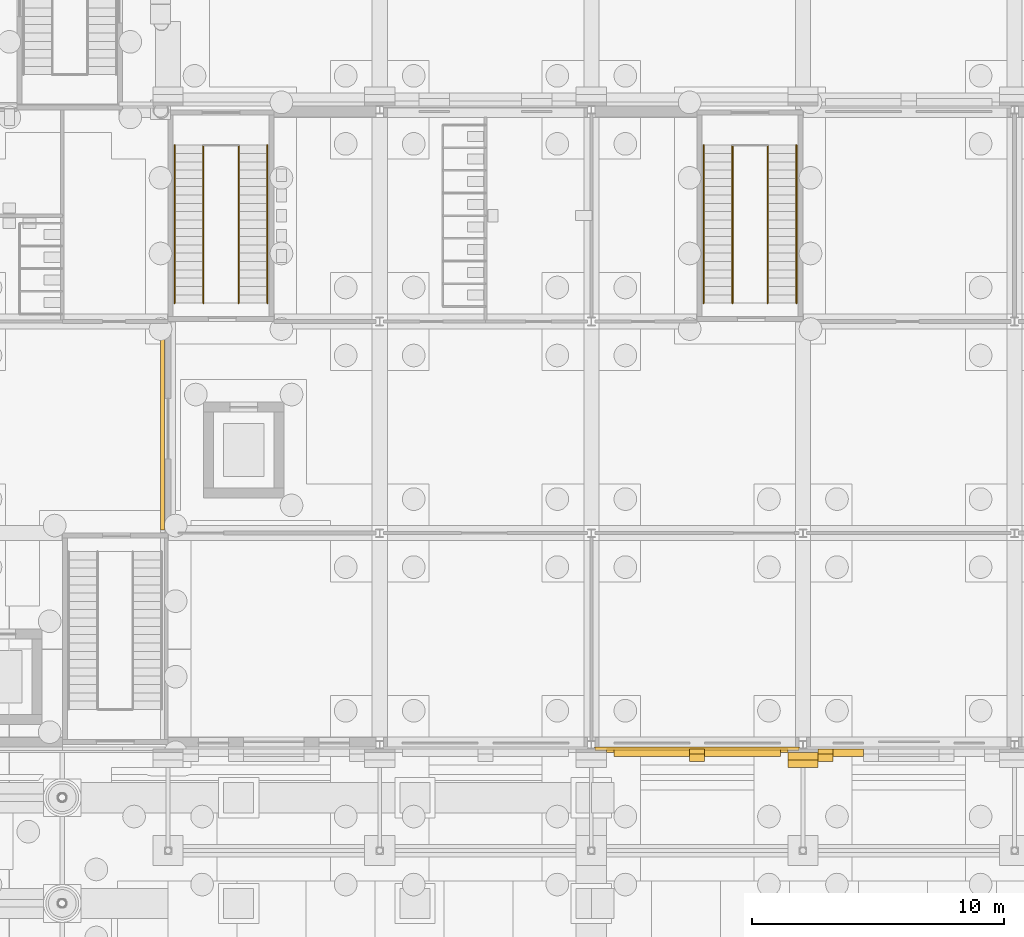
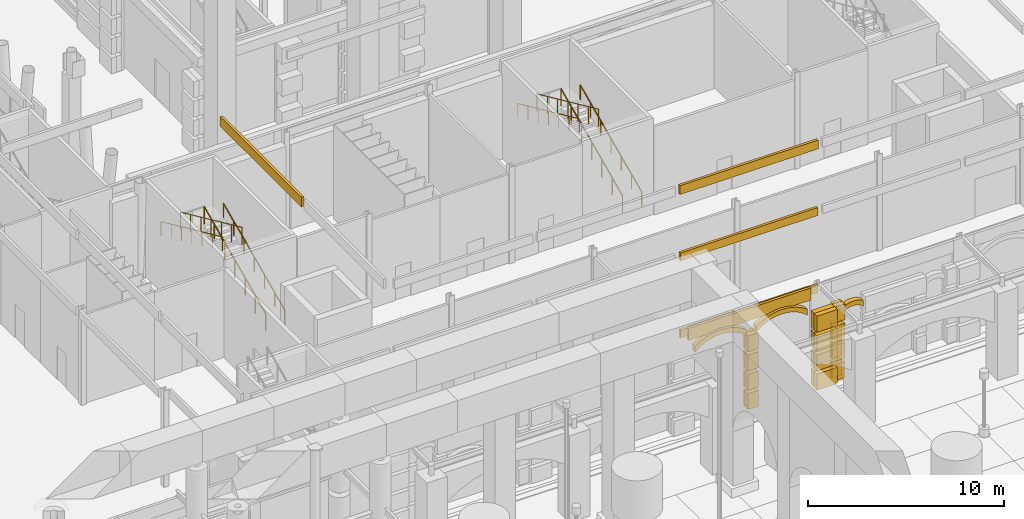
# One storey, part 134 of 222: 32 coverings, 8 railings.
"""IFC4 building model written with IfcOpenShell, lengths in metres."""

from ifc_helpers import new_model, si_unit, direction, frame, origin, origin_2d, place, context, subcontext, project, spatial, polyline, rectangle, circle, outline, extrude, material, layer, layer_set, type_object, element, save


model = new_model("IFC4")

# Units and contexts
model_context = context("Model", 3, precision=1e-05, world=origin(), true_north=direction((0.0, 1.0)))
body_context = subcontext(model_context, "Body", "Model", "MODEL_VIEW")
ifc_project = project(units=[si_unit("LENGTHUNIT", "METRE"), si_unit("AREAUNIT", "SQUARE_METRE"), si_unit("VOLUMEUNIT", "CUBIC_METRE"), si_unit("PLANEANGLEUNIT", "RADIAN"), si_unit("MASSUNIT", "GRAM", prefix="KILO")], contexts=[model_context])

# Site, building, storey
site_placement = place(None, origin())
site = spatial("IfcSite", under=ifc_project, at=site_placement, CompositionType="ELEMENT")
building_placement = place(site_placement, origin())
building = spatial("IfcBuilding", under=site, at=building_placement, Name="Sava Quay Ferry Terminal", CompositionType="ELEMENT")
storey_placement = place(building_placement, origin())
storey = spatial("IfcBuildingStorey", under=building, at=storey_placement, Name="L00", CompositionType="ELEMENT", Elevation=0.0)

# Coverings
ifc_material_1 = material(Name="Limestone Mutalj", Category="masonry")
ifc_layer_1 = layer(ifc_material_1, 0.300048828125)
ifc_layer_set_1 = layer_set([ifc_layer_1], Name="Limestone Mutalj")
covering_type_1 = type_object("IfcCoveringType", Name="Arch band 280", PredefinedType="MOLDING", material=ifc_layer_set_1)
covering_1_placement = place(storey_placement, frame((101.699951171875, 24.739990234375, 4.5), z_axis=(0.0, -1.0, 0.0), x_axis=(0.782171011383, 0.0, 0.623063808091)))
element("IfcCovering", 1, at=covering_1_placement, inside=storey, type_object=covering_type_1, Name="Arch band", PredefinedType="MOLDING", context=body_context, shape_type="SweptSolid", body=[
    extrude(outline(polyline([(0.0, 0.0), (0.38361026394291897, 0.0), (0.7217380868167081, -0.05709695615317717), (1.025335762122964, -0.1575417686500708), (1.2993842465178647, -0.29468969183758004), (1.5471556480034832, -0.4652167214188082), (1.768763237235288, -0.6685888227670815), (1.9639027838382344, -0.9051879153215514), (2.1296840992494017, -1.178642233754159), (2.2607443073734594, -1.4952922933429613), (2.3465130341479634, -1.8691914242724625), (2.5760548521189226, -1.5810332074325149), (2.4648828890282157, -1.2390243496721793), (2.3190675077145073, -0.9408973828822342), (2.144615626614576, -0.6783277684654494), (1.9447605091984421, -0.4476484272178306), (1.7214796529038934, -0.24637688278489167), (1.475381518481019, -0.07374929628832916), (1.2060486048993058, 0.06931837820603115), (0.9111214952818136, 0.18064789471874781), (0.5877488455976752, 0.2562679436707819), (0.22954181797095916, 0.2881582168399477), (0.0, 0.0)])), origin(), (0.0, 0.0, -1.0), 0.300048828125),
])
covering_2_placement = place(storey_placement, frame((105.300048828125, 24.739990234375, 4.5), z_axis=(0.0, -1.0, 0.0), x_axis=(0.782171011383, 0.0, 0.623063808091)))
element("IfcCovering", 2, at=covering_2_placement, inside=storey, type_object=covering_type_1, Name="Arch band", PredefinedType="MOLDING", context=body_context, shape_type="SweptSolid", body=[
    extrude(outline(polyline([(0.0, 0.0), (0.38361026394291897, 0.0), (0.7215471270971323, -0.056944840965655), (1.0251448024033882, -0.15738965346254868), (1.2993842465178647, -0.29468969183758004), (1.5471556480034832, -0.4652167214188082), (1.768763237235288, -0.6685888227670815), (1.9637118241186586, -0.9050358001340293), (2.1294931395298256, -1.178490118566637), (2.2607443073734594, -1.4952922933429613), (2.3465130341479634, -1.8691914242724625), (2.5760548521189226, -1.5810332074325149), (2.4648828890282157, -1.2390243496721793), (2.318876547994931, -0.9407452676947119), (2.144424666895, -0.6781756532779273), (1.9447605091984421, -0.4476484272178306), (1.7214796529038934, -0.24637688278489167), (1.475381518481019, -0.07374929628832916), (1.2058576451797298, 0.06947049339355327), (0.9109305355622378, 0.18080000990627), (0.5877488455976752, 0.2562679436707819), (0.22954181797095916, 0.2881582168399477), (0.0, 0.0)])), origin(), (0.0, 0.0, -1.0), 0.300048828125),
])
covering_3_placement = place(storey_placement, frame((110.39990234375, 24.739990234375, 3.89990234375), z_axis=(0.0, -1.0, 0.0), x_axis=(0.766686318179, 0.0, 0.642021876199)))
element("IfcCovering", 3, at=covering_3_placement, inside=storey, type_object=covering_type_1, Name="Arch band", PredefinedType="MOLDING", context=body_context, shape_type="SweptSolid", body=[
    extrude(outline(polyline([(0.0, 0.0), (0.15667057654730215, -1.3877787807814457e-17), (0.29293404656438327, -0.02398938309786766), (0.414337308134961, -0.06610472040016957), (0.5230139006591377, -0.1230376562322823), (0.6205921316676617, -0.19360424362325043), (0.7071983091278714, -0.2772733803971569), (0.7823317665186302, -0.3742626814856812), (0.8451129134167863, -0.48638306834825396), (0.8926594933146406, -0.6163159221710233), (0.9201733252360722, -0.7705516463358979), (1.1491757571516024, -0.49708272278628407), (1.0994043308893047, -0.3694264559410845), (1.0385345431113546, -0.2554038406547403), (0.9677594714851411, -0.1528295969140227), (0.8883939362971753, -0.06089413630177459), (0.8003770662378966, 0.021090386980039788), (0.7042095278284416, 0.09334158786309998), (0.5997650131014718, 0.15532836417148896), (0.4863556762589516, 0.20698984459564596), (0.3634154141219664, 0.2468894662299388), (0.22900243191553027, 0.27346892354961383), (0.0, 0.0)])), origin(), (0.0, 0.0, -1.0), 0.300048828125),
])

# Railings
ifc_material_2 = material(Name="Steel S355", Category="steel")
railing_type_1 = type_object("IfcRailingType", Name="Guard 1100", PredefinedType="GUARDRAIL", material=ifc_material_2)
railing_1_placement = place(storey_placement, frame((86.800048828125, 42.72998046875, 0.14990234375)))
element("IfcRailing", 4, at=railing_1_placement, inside=storey, type_object=railing_type_1, Name="Guard at stair well ST-P1 L00", PredefinedType="GUARDRAIL", context=body_context, shape_type="SweptSolid", body=[
    extrude(circle(Radius=0.02392578125, at=origin_2d()), frame((0.0, 0.0, 1.076171875), z_axis=(0.0, 0.910361621584, 0.413813627068), x_axis=(-1.0, 0.0, 0.0)), (0.0, 0.0, 1.0), 6.887451171875),
    extrude(circle(Radius=0.02099609375, at=origin_2d()), origin(), (0.0, 0.0, 1.0), 1.052001953125),
    extrude(circle(Radius=0.02099609375, at=origin_2d()), frame((0.0, 1.044921875, 0.47509765625)), (0.0, 0.0, 1.0), 1.052001953125),
    extrude(circle(Radius=0.02099609375, at=origin_2d()), frame((0.0, 2.090087890625, 0.949951171875)), (0.0, 0.0, 1.0), 1.052001953125),
    extrude(circle(Radius=0.02099609375, at=origin_2d()), frame((0.0, 3.135009765625, 1.425048828125)), (0.0, 0.0, 1.0), 1.052001953125),
    extrude(circle(Radius=0.02099609375, at=origin_2d()), frame((0.0, 4.179931640625, 1.900146484375)), (0.0, 0.0, 1.0), 1.052001953125),
    extrude(circle(Radius=0.02099609375, at=origin_2d()), frame((0.0, 5.22509765625, 2.375)), (0.0, 0.0, 1.0), 1.052001953125),
    extrude(circle(Radius=0.02099609375, at=origin_2d()), frame((0.0, 6.27001953125, 2.85009765625)), (0.0, 0.0, 1.0), 1.052001953125),
])
railing_2_placement = place(storey_placement, frame((85.39990234375, 49.0, 3.14990234375)))
element("IfcRailing", 5, at=railing_2_placement, inside=storey, type_object=railing_type_1, Name="Guard at stair well ST-P1 L00", PredefinedType="GUARDRAIL", context=body_context, shape_type="SweptSolid", body=[
    extrude(circle(Radius=0.02392578125, at=origin_2d()), frame((0.0, 0.0, 1.076171875), z_axis=(0.0, -0.910361621584, 0.413813627068), x_axis=(1.0, 0.0, 0.0)), (0.0, 0.0, 1.0), 6.887451171875),
    extrude(circle(Radius=0.02099609375, at=origin_2d()), origin(), (0.0, 0.0, 1.0), 1.052001953125),
    extrude(circle(Radius=0.02099609375, at=origin_2d()), frame((0.0, -1.044921875, 0.47509765625)), (0.0, 0.0, 1.0), 1.052001953125),
    extrude(circle(Radius=0.02099609375, at=origin_2d()), frame((0.0, -2.090087890625, 0.949951171875)), (0.0, 0.0, 1.0), 1.052001953125),
    extrude(circle(Radius=0.02099609375, at=origin_2d()), frame((0.0, -3.135009765625, 1.425048828125)), (0.0, 0.0, 1.0), 1.052001953125),
    extrude(circle(Radius=0.02099609375, at=origin_2d()), frame((0.0, -4.179931640625, 1.900146484375)), (0.0, 0.0, 1.0), 1.052001953125),
    extrude(circle(Radius=0.02099609375, at=origin_2d()), frame((0.0, -5.22509765625, 2.375)), (0.0, 0.0, 1.0), 1.052001953125),
    extrude(circle(Radius=0.02099609375, at=origin_2d()), frame((0.0, -6.27001953125, 2.85009765625)), (0.0, 0.0, 1.0), 1.052001953125),
])
railing_3_placement = place(storey_placement, frame((107.800048828125, 42.72998046875, 0.14990234375)))
element("IfcRailing", 6, at=railing_3_placement, inside=storey, type_object=railing_type_1, Name="Guard at stair well ST-P3 L00", PredefinedType="GUARDRAIL", context=body_context, shape_type="SweptSolid", body=[
    extrude(circle(Radius=0.02392578125, at=origin_2d()), frame((0.0, 0.0, 1.076171875), z_axis=(0.0, 0.910361621584, 0.413813627068), x_axis=(-1.0, 0.0, 0.0)), (0.0, 0.0, 1.0), 6.887451171875),
    extrude(circle(Radius=0.02099609375, at=origin_2d()), origin(), (0.0, 0.0, 1.0), 1.052001953125),
    extrude(circle(Radius=0.02099609375, at=origin_2d()), frame((0.0, 1.044921875, 0.47509765625)), (0.0, 0.0, 1.0), 1.052001953125),
    extrude(circle(Radius=0.02099609375, at=origin_2d()), frame((0.0, 2.090087890625, 0.949951171875)), (0.0, 0.0, 1.0), 1.052001953125),
    extrude(circle(Radius=0.02099609375, at=origin_2d()), frame((0.0, 3.135009765625, 1.425048828125)), (0.0, 0.0, 1.0), 1.052001953125),
    extrude(circle(Radius=0.02099609375, at=origin_2d()), frame((0.0, 4.179931640625, 1.900146484375)), (0.0, 0.0, 1.0), 1.052001953125),
    extrude(circle(Radius=0.02099609375, at=origin_2d()), frame((0.0, 5.22509765625, 2.375)), (0.0, 0.0, 1.0), 1.052001953125),
    extrude(circle(Radius=0.02099609375, at=origin_2d()), frame((0.0, 6.27001953125, 2.85009765625)), (0.0, 0.0, 1.0), 1.052001953125),
])
railing_4_placement = place(storey_placement, frame((106.39990234375, 49.0, 3.14990234375)))
element("IfcRailing", 7, at=railing_4_placement, inside=storey, type_object=railing_type_1, Name="Guard at stair well ST-P3 L00", PredefinedType="GUARDRAIL", context=body_context, shape_type="SweptSolid", body=[
    extrude(circle(Radius=0.02392578125, at=origin_2d()), frame((0.0, 0.0, 1.076171875), z_axis=(0.0, -0.910361621584, 0.413813627068), x_axis=(1.0, 0.0, 0.0)), (0.0, 0.0, 1.0), 6.887451171875),
    extrude(circle(Radius=0.02099609375, at=origin_2d()), origin(), (0.0, 0.0, 1.0), 1.052001953125),
    extrude(circle(Radius=0.02099609375, at=origin_2d()), frame((0.0, -1.044921875, 0.47509765625)), (0.0, 0.0, 1.0), 1.052001953125),
    extrude(circle(Radius=0.02099609375, at=origin_2d()), frame((0.0, -2.090087890625, 0.949951171875)), (0.0, 0.0, 1.0), 1.052001953125),
    extrude(circle(Radius=0.02099609375, at=origin_2d()), frame((0.0, -3.135009765625, 1.425048828125)), (0.0, 0.0, 1.0), 1.052001953125),
    extrude(circle(Radius=0.02099609375, at=origin_2d()), frame((0.0, -4.179931640625, 1.900146484375)), (0.0, 0.0, 1.0), 1.052001953125),
    extrude(circle(Radius=0.02099609375, at=origin_2d()), frame((0.0, -5.22509765625, 2.375)), (0.0, 0.0, 1.0), 1.052001953125),
    extrude(circle(Radius=0.02099609375, at=origin_2d()), frame((0.0, -6.27001953125, 2.85009765625)), (0.0, 0.0, 1.0), 1.052001953125),
])

# Coverings
ifc_material_3 = material(Name="Limestone Mutalj", Category="masonry")
ifc_layer_2 = layer(ifc_material_3, 0.14990234375)
ifc_layer_set_2 = layer_set([ifc_layer_2], Name="Limestone Mutalj")
covering_type_2 = type_object("IfcCoveringType", Name="Limestone string course 150", PredefinedType="CLADDING", material=ifc_layer_set_2)
covering_4_placement = place(storey_placement, frame((0.0, 0.0, 5.25)))
element("IfcCovering", 8, at=covering_4_placement, inside=storey, type_object=covering_type_2, Name="String course P-S", PredefinedType="CLADDING", context=body_context, shape_type="SweptSolid", body=[
    extrude(outline(polyline([(101.39990234375, 25.0400390625), (108.60009765625, 25.0400390625), (108.60009765625, 24.889892578125), (101.39990234375, 24.889892578125), (101.39990234375, 25.0400390625)])), origin(), (0.0, 0.0, 1.0), 0.75),
])
ifc_material_4 = material(Name="Limestone Mutalj", Category="masonry")
ifc_layer_3 = layer(ifc_material_4, 0.300048828125)
ifc_layer_set_3 = layer_set([ifc_layer_3], Name="Limestone Mutalj")
covering_type_3 = type_object("IfcCoveringType", Name="Rusticated course deepening 300", PredefinedType="CLADDING", material=ifc_layer_set_3)
for number, where, z_axis, x_axis, name in (
    (9, (109.199951171875, 24.43994140625, 0.0), (0.0, 0.0, 1.0), (1.0, 0.0, 0.0), "Rusticated course deepening"),
    (10, (109.199951171875, 24.43994140625, 1.199951171875), (0.0, 0.0, 1.0), (1.0, 0.0, 0.0), "Rusticated course deepening"),
    (11, (109.199951171875, 24.43994140625, 2.39990234375), (0.0, 0.0, 1.0), (1.0, 0.0, 0.0), "Rusticated course deepening"),
    (12, (109.199951171875, 24.43994140625, 3.60009765625), (0.0, 0.0, 1.0), (1.0, 0.0, 0.0), "Rusticated course deepening"),
):
    element("IfcCovering", number, at=place(storey_placement, frame(where, z_axis=z_axis, x_axis=x_axis)), inside=storey, type_object=covering_type_3, Name=name, PredefinedType="CLADDING", context=body_context, shape_type="SweptSolid", body=[
        extrude(rectangle(XDim=1.199951171875, YDim=0.300048828125, at=origin_2d()), origin(), (0.0, 0.0, 1.0), 1.0),
    ])
for number, where, z_axis, x_axis, name in (
    (13, (105.0, 24.68994140625, 0.0), (0.0, 0.0, 1.0), (1.0, 0.0, 0.0), "Rusticated course deepening"),
    (14, (105.0, 24.68994140625, 1.199951171875), (0.0, 0.0, 1.0), (1.0, 0.0, 0.0), "Rusticated course deepening"),
    (15, (105.0, 24.68994140625, 2.39990234375), (0.0, 0.0, 1.0), (1.0, 0.0, 0.0), "Rusticated course deepening"),
    (16, (105.0, 24.68994140625, 3.60009765625), (0.0, 0.0, 1.0), (1.0, 0.0, 0.0), "Rusticated course deepening"),
    (17, (110.10009765625, 24.68994140625, 0.0), (0.0, 0.0, 1.0), (1.0, 0.0, 0.0), "Rusticated course deepening"),
    (18, (110.10009765625, 24.68994140625, 1.199951171875), (0.0, 0.0, 1.0), (1.0, 0.0, 0.0), "Rusticated course deepening"),
    (19, (110.10009765625, 24.68994140625, 2.39990234375), (0.0, 0.0, 1.0), (1.0, 0.0, 0.0), "Rusticated course deepening"),
    (20, (110.10009765625, 24.68994140625, 3.60009765625), (0.0, 0.0, 1.0), (1.0, 0.0, 0.0), "Rusticated course deepening"),
):
    element("IfcCovering", number, at=place(storey_placement, frame(where, z_axis=z_axis, x_axis=x_axis)), inside=storey, type_object=covering_type_3, Name=name, PredefinedType="CLADDING", context=body_context, shape_type="SweptSolid", body=[
        extrude(rectangle(XDim=0.60009765625, YDim=0.300048828125, at=origin_2d()), origin(), (0.0, 0.0, 1.0), 1.0),
    ])
ifc_material_5 = material(Name="Limestone Mutalj", Category="masonry")
ifc_layer_4 = layer(ifc_material_5, 0.300048828125)
ifc_layer_set_4 = layer_set([ifc_layer_4], Name="Limestone Mutalj")
covering_type_4 = type_object("IfcCoveringType", Name="Rusticated pier course 300", PredefinedType="CLADDING", material=ifc_layer_set_4)
for number, where, z_axis, x_axis, name in (
    (21, (109.199951171875, 24.739990234375, 0.0), (0.0, 0.0, 1.0), (1.0, 0.0, 0.0), "Rusticated pier course"),
    (22, (109.199951171875, 24.739990234375, 1.199951171875), (0.0, 0.0, 1.0), (1.0, 0.0, 0.0), "Rusticated pier course"),
    (23, (109.199951171875, 24.739990234375, 2.39990234375), (0.0, 0.0, 1.0), (1.0, 0.0, 0.0), "Rusticated pier course"),
    (24, (109.199951171875, 24.739990234375, 3.60009765625), (0.0, 0.0, 1.0), (1.0, 0.0, 0.0), "Rusticated pier course"),
):
    element("IfcCovering", number, at=place(storey_placement, frame(where, z_axis=z_axis, x_axis=x_axis)), inside=storey, type_object=covering_type_4, Name=name, PredefinedType="CLADDING", context=body_context, shape_type="SweptSolid", body=[
        extrude(rectangle(XDim=1.199951171875, YDim=0.300048828125, at=origin_2d()), origin(), (0.0, 0.0, 1.0), 1.0),
    ])
ifc_material_6 = material(Name="Limestone Mutalj", Category="masonry")
ifc_layer_5 = layer(ifc_material_6, 0.199951171875)
ifc_layer_set_5 = layer_set([ifc_layer_5], Name="Limestone Mutalj")
covering_type_5 = type_object("IfcCoveringType", Name="Rusticated wall course 200", PredefinedType="CLADDING", material=ifc_layer_set_5)
for number, where, z_axis, x_axis, name in (
    (25, (105.0, 24.93994140625, 0.0), (0.0, 0.0, 1.0), (1.0, 0.0, 0.0), "Rusticated wall course"),
    (26, (105.0, 24.93994140625, 1.199951171875), (0.0, 0.0, 1.0), (1.0, 0.0, 0.0), "Rusticated wall course"),
    (27, (105.0, 24.93994140625, 2.39990234375), (0.0, 0.0, 1.0), (1.0, 0.0, 0.0), "Rusticated wall course"),
    (28, (105.0, 24.93994140625, 3.60009765625), (0.0, 0.0, 1.0), (1.0, 0.0, 0.0), "Rusticated wall course"),
    (29, (110.10009765625, 24.93994140625, 0.0), (0.0, 0.0, 1.0), (1.0, 0.0, 0.0), "Rusticated wall course"),
    (30, (110.10009765625, 24.93994140625, 1.199951171875), (0.0, 0.0, 1.0), (1.0, 0.0, 0.0), "Rusticated wall course"),
    (31, (110.10009765625, 24.93994140625, 2.39990234375), (0.0, 0.0, 1.0), (1.0, 0.0, 0.0), "Rusticated wall course"),
    (32, (110.10009765625, 24.93994140625, 3.60009765625), (0.0, 0.0, 1.0), (1.0, 0.0, 0.0), "Rusticated wall course"),
):
    element("IfcCovering", number, at=place(storey_placement, frame(where, z_axis=z_axis, x_axis=x_axis)), inside=storey, type_object=covering_type_5, Name=name, PredefinedType="CLADDING", context=body_context, shape_type="SweptSolid", body=[
        extrude(rectangle(XDim=0.60009765625, YDim=0.199951171875, at=origin_2d()), origin(), (0.0, 0.0, 1.0), 1.0),
    ])
ifc_material_7 = material(Name="Limestone Mutalj", Category="masonry")
ifc_layer_6 = layer(ifc_material_7, 0.14990234375)
ifc_layer_set_6 = layer_set([ifc_layer_6], Name="Limestone Mutalj")
covering_type_6 = type_object("IfcCoveringType", Name="Slab edge fascia 150", PredefinedType="CLADDING", material=ifc_layer_set_6)
for number, where, name in (
    (33, (0.0, 0.0, 5.510009765625), "Slab edge fascia"),
    (34, (0.0, 0.0, 10.31005859375), "Slab edge fascia"),
):
    element("IfcCovering", number, at=place(storey_placement, frame(where)), inside=storey, type_object=covering_type_6, Name=name, PredefinedType="CLADDING", context=body_context, shape_type="SweptSolid", body=[
        extrude(outline(polyline([(109.050048828125, 25.116943359375), (100.949951171875, 25.116943359375), (100.949951171875, 24.967041015625), (109.050048828125, 24.967041015625), (109.050048828125, 25.116943359375)])), origin(), (0.0, 0.0, 1.0), 0.489990234375),
    ])
covering_5_placement = place(storey_placement, frame((0.0, 0.0, 14.39990234375)))
element("IfcCovering", 35, at=covering_5_placement, inside=storey, type_object=covering_type_6, Name="Slab edge fascia", PredefinedType="CLADDING", context=body_context, shape_type="SweptSolid", body=[
    extrude(outline(polyline([(83.701904296875, 33.72998046875), (83.85205078125, 33.72998046875), (83.85205078125, 42.0), (83.701904296875, 42.0), (83.701904296875, 33.72998046875)])), origin(), (0.0, 0.0, 1.0), 0.60009765625),
])
covering_6_placement = place(storey_placement, frame((0.0, 0.0, 14.449951171875)))
element("IfcCovering", 36, at=covering_6_placement, inside=storey, type_object=covering_type_6, Name="Slab edge fascia", PredefinedType="CLADDING", context=body_context, shape_type="SweptSolid", body=[
    extrude(outline(polyline([(109.070068359375, 25.112060546875), (100.929931640625, 25.112060546875), (100.929931640625, 24.9619140625), (109.070068359375, 24.9619140625), (109.070068359375, 25.112060546875)])), origin(), (0.0, 0.0, 1.0), 0.550048828125),
])

# Railings
ifc_material_8 = material(Name="Steel S355", Category="steel")
railing_type_2 = type_object("IfcRailingType", Name="Stair handrail 900", PredefinedType="HANDRAIL", material=ifc_material_8)
railing_5_placement = place(storey_placement, frame((87.93994140625, 42.72998046875, 0.14990234375)))
element("IfcRailing", 37, at=railing_5_placement, inside=storey, type_object=railing_type_2, Name="Handrail ST-P1 L00", PredefinedType="HANDRAIL", context=body_context, shape_type="SweptSolid", body=[
    extrude(circle(Radius=0.02392578125, at=origin_2d()), frame((0.0, 0.0, 0.8759765625), z_axis=(0.0, 0.910361621584, 0.413813627068), x_axis=(-1.0, 0.0, 0.0)), (0.0, 0.0, 1.0), 6.887451171875),
    extrude(circle(Radius=0.02099609375, at=origin_2d()), origin(), (0.0, 0.0, 1.0), 0.851806640625),
    extrude(circle(Radius=0.02099609375, at=origin_2d()), frame((0.0, 1.044921875, 0.47509765625)), (0.0, 0.0, 1.0), 0.851806640625),
    extrude(circle(Radius=0.02099609375, at=origin_2d()), frame((0.0, 2.090087890625, 0.949951171875)), (0.0, 0.0, 1.0), 0.851806640625),
    extrude(circle(Radius=0.02099609375, at=origin_2d()), frame((0.0, 3.135009765625, 1.425048828125)), (0.0, 0.0, 1.0), 0.851806640625),
    extrude(circle(Radius=0.02099609375, at=origin_2d()), frame((0.0, 4.179931640625, 1.900146484375)), (0.0, 0.0, 1.0), 0.851806640625),
    extrude(circle(Radius=0.02099609375, at=origin_2d()), frame((0.0, 5.22509765625, 2.375)), (0.0, 0.0, 1.0), 0.851806640625),
    extrude(circle(Radius=0.02099609375, at=origin_2d()), frame((0.0, 6.27001953125, 2.85009765625)), (0.0, 0.0, 1.0), 0.851806640625),
])
railing_6_placement = place(storey_placement, frame((84.260009765625, 49.0, 3.14990234375)))
element("IfcRailing", 38, at=railing_6_placement, inside=storey, type_object=railing_type_2, Name="Handrail ST-P1 L00", PredefinedType="HANDRAIL", context=body_context, shape_type="SweptSolid", body=[
    extrude(circle(Radius=0.02392578125, at=origin_2d()), frame((0.0, 0.0, 0.8759765625), z_axis=(0.0, -0.910361621584, 0.413813627068), x_axis=(1.0, 0.0, 0.0)), (0.0, 0.0, 1.0), 6.887451171875),
    extrude(circle(Radius=0.02099609375, at=origin_2d()), origin(), (0.0, 0.0, 1.0), 0.851806640625),
    extrude(circle(Radius=0.02099609375, at=origin_2d()), frame((0.0, -1.044921875, 0.47509765625)), (0.0, 0.0, 1.0), 0.851806640625),
    extrude(circle(Radius=0.02099609375, at=origin_2d()), frame((0.0, -2.090087890625, 0.949951171875)), (0.0, 0.0, 1.0), 0.851806640625),
    extrude(circle(Radius=0.02099609375, at=origin_2d()), frame((0.0, -3.135009765625, 1.425048828125)), (0.0, 0.0, 1.0), 0.851806640625),
    extrude(circle(Radius=0.02099609375, at=origin_2d()), frame((0.0, -4.179931640625, 1.900146484375)), (0.0, 0.0, 1.0), 0.851806640625),
    extrude(circle(Radius=0.02099609375, at=origin_2d()), frame((0.0, -5.22509765625, 2.375)), (0.0, 0.0, 1.0), 0.851806640625),
    extrude(circle(Radius=0.02099609375, at=origin_2d()), frame((0.0, -6.27001953125, 2.85009765625)), (0.0, 0.0, 1.0), 0.851806640625),
])
railing_7_placement = place(storey_placement, frame((108.93994140625, 42.72998046875, 0.14990234375)))
element("IfcRailing", 39, at=railing_7_placement, inside=storey, type_object=railing_type_2, Name="Handrail ST-P3 L00", PredefinedType="HANDRAIL", context=body_context, shape_type="SweptSolid", body=[
    extrude(circle(Radius=0.02392578125, at=origin_2d()), frame((0.0, 0.0, 0.8759765625), z_axis=(0.0, 0.910361621584, 0.413813627068), x_axis=(-1.0, 0.0, 0.0)), (0.0, 0.0, 1.0), 6.887451171875),
    extrude(circle(Radius=0.02099609375, at=origin_2d()), origin(), (0.0, 0.0, 1.0), 0.851806640625),
    extrude(circle(Radius=0.02099609375, at=origin_2d()), frame((0.0, 1.044921875, 0.47509765625)), (0.0, 0.0, 1.0), 0.851806640625),
    extrude(circle(Radius=0.02099609375, at=origin_2d()), frame((0.0, 2.090087890625, 0.949951171875)), (0.0, 0.0, 1.0), 0.851806640625),
    extrude(circle(Radius=0.02099609375, at=origin_2d()), frame((0.0, 3.135009765625, 1.425048828125)), (0.0, 0.0, 1.0), 0.851806640625),
    extrude(circle(Radius=0.02099609375, at=origin_2d()), frame((0.0, 4.179931640625, 1.900146484375)), (0.0, 0.0, 1.0), 0.851806640625),
    extrude(circle(Radius=0.02099609375, at=origin_2d()), frame((0.0, 5.22509765625, 2.375)), (0.0, 0.0, 1.0), 0.851806640625),
    extrude(circle(Radius=0.02099609375, at=origin_2d()), frame((0.0, 6.27001953125, 2.85009765625)), (0.0, 0.0, 1.0), 0.851806640625),
])
railing_8_placement = place(storey_placement, frame((105.260009765625, 49.0, 3.14990234375)))
element("IfcRailing", 40, at=railing_8_placement, inside=storey, type_object=railing_type_2, Name="Handrail ST-P3 L00", PredefinedType="HANDRAIL", context=body_context, shape_type="SweptSolid", body=[
    extrude(circle(Radius=0.02392578125, at=origin_2d()), frame((0.0, 0.0, 0.8759765625), z_axis=(0.0, -0.910361621584, 0.413813627068), x_axis=(1.0, 0.0, 0.0)), (0.0, 0.0, 1.0), 6.887451171875),
    extrude(circle(Radius=0.02099609375, at=origin_2d()), origin(), (0.0, 0.0, 1.0), 0.851806640625),
    extrude(circle(Radius=0.02099609375, at=origin_2d()), frame((0.0, -1.044921875, 0.47509765625)), (0.0, 0.0, 1.0), 0.851806640625),
    extrude(circle(Radius=0.02099609375, at=origin_2d()), frame((0.0, -2.090087890625, 0.949951171875)), (0.0, 0.0, 1.0), 0.851806640625),
    extrude(circle(Radius=0.02099609375, at=origin_2d()), frame((0.0, -3.135009765625, 1.425048828125)), (0.0, 0.0, 1.0), 0.851806640625),
    extrude(circle(Radius=0.02099609375, at=origin_2d()), frame((0.0, -4.179931640625, 1.900146484375)), (0.0, 0.0, 1.0), 0.851806640625),
    extrude(circle(Radius=0.02099609375, at=origin_2d()), frame((0.0, -5.22509765625, 2.375)), (0.0, 0.0, 1.0), 0.851806640625),
    extrude(circle(Radius=0.02099609375, at=origin_2d()), frame((0.0, -6.27001953125, 2.85009765625)), (0.0, 0.0, 1.0), 0.851806640625),
])

save(model, "model.ifc")
